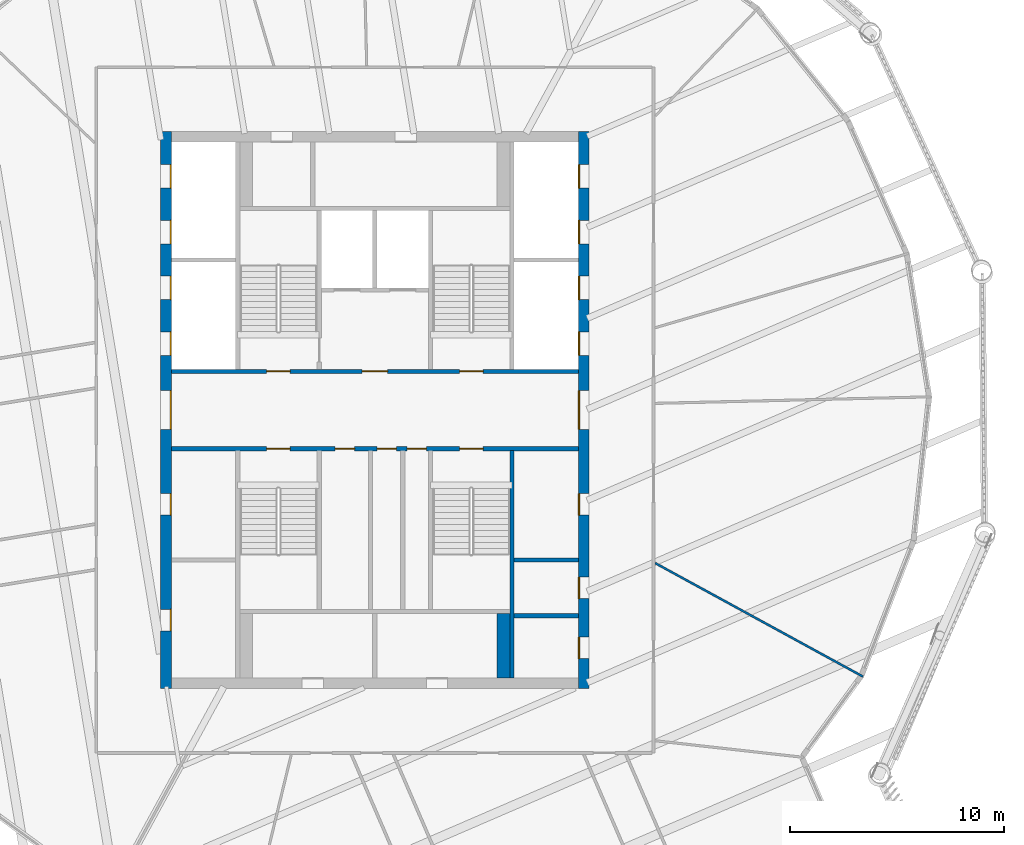
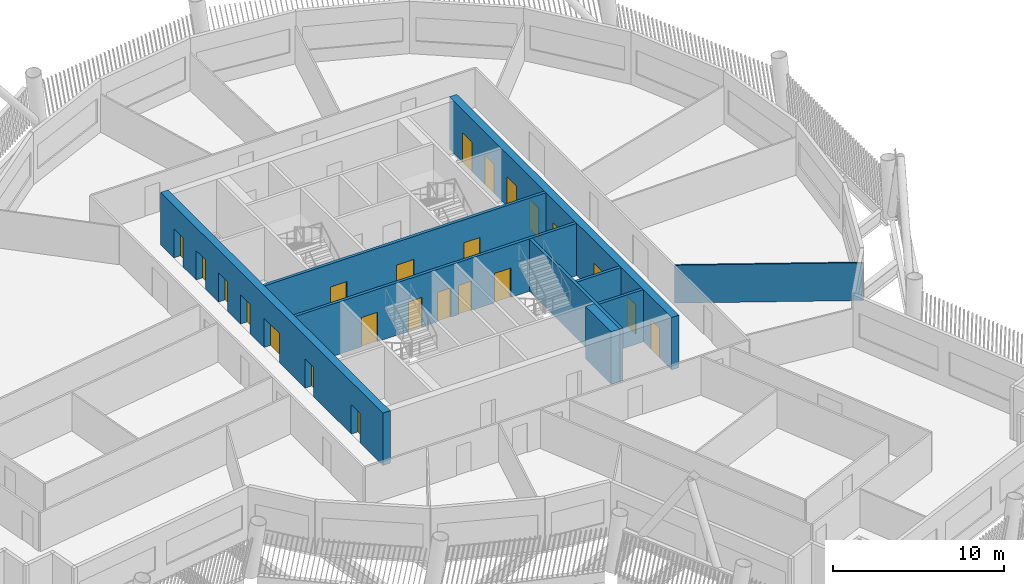
# One storey, part 5 of 23: 23 doors, 9 walls, 23 openings.
"""IFC4 building model written with IfcOpenShell, lengths in metres."""

from ifc_helpers import new_model, si_unit, direction, frame, frame_2d, origin, place, context, subcontext, project, spatial, rectangle, extrude, material, layer, layer_set, type_object, element, fill, save


model = new_model("IFC4")

# Units and contexts
model_context = context("Model", 3, precision=1e-05, world=origin(), true_north=direction((0.0, 1.0)))
body_context = subcontext(model_context, "Body", "Model", "MODEL_VIEW")
ifc_project = project(units=[si_unit("LENGTHUNIT", "METRE"), si_unit("AREAUNIT", "SQUARE_METRE"), si_unit("VOLUMEUNIT", "CUBIC_METRE"), si_unit("PLANEANGLEUNIT", "RADIAN"), si_unit("MASSUNIT", "GRAM", prefix="KILO")], contexts=[model_context])

# Site, building, storey
site_placement = place(None, origin())
site = spatial("IfcSite", under=ifc_project, at=site_placement, CompositionType="ELEMENT")
building_placement = place(site_placement, origin())
building = spatial("IfcBuilding", under=site, at=building_placement, Name="Tarsis Ring Headquarters", CompositionType="ELEMENT")
storey_placement = place(building_placement, frame((0.0, 0.0, 323.60009765625)))
storey = spatial("IfcBuildingStorey", under=building, at=storey_placement, Name="L76", CompositionType="ELEMENT", Elevation=323.60009765625)

# Walls
ifc_material_1 = material(Name="Blockwork", Category="masonry")
ifc_layer_1 = layer(ifc_material_1, 0.199951171875)
ifc_layer_set_1 = layer_set([ifc_layer_1], Name="Core blockwork wall 200")
wall_type_1 = type_object("IfcWallType", Name="Core blockwork wall 200", PredefinedType="PARTITIONING", material=ifc_layer_set_1)
for number, where, z_axis, x_axis, name in (
    (1, (6.5, -9.60009765625, 0.0), (0.0, 0.0, 1.0), (1.0, 0.0, 0.0), "Core partition ED1"),
    (2, (6.5, -7.0, 0.0), (0.0, 0.0, 1.0), (1.0, 0.0, 0.0), "Core partition ED2"),
):
    element("IfcWall", number, at=place(storey_placement, frame(where, z_axis=z_axis, x_axis=x_axis)), inside=storey, type_object=wall_type_1, Name=name, PredefinedType="PARTITIONING", context=body_context, shape_type="SweptSolid", body=[
        extrude(rectangle(XDim=3.0, YDim=0.199951171875, at=frame_2d((1.5, 0.0))), origin(), (0.0, 0.0, 1.0), 3.739990234375),
    ])

# Wall, openings, doors
ifc_material_2 = material(Name="Concrete C50/60", Category="concrete")
ifc_layer_2 = layer(ifc_material_2, 0.5)
ifc_layer_set_2 = layer_set([ifc_layer_2], Name="Core wall 500 C50/60")
wall_type_2 = type_object("IfcWallType", Name="Core wall 500 C50/60", PredefinedType="SHEAR", material=ifc_layer_set_2)
wall_1_placement = place(storey_placement, frame((-9.75, -13.0, 0.0), z_axis=(0.0, 0.0, 1.0), x_axis=(0.0, 1.0, 0.0)))
wall_1 = element("IfcWall", 3, at=wall_1_placement, inside=storey, type_object=wall_type_2, Name="Core wall OW", PredefinedType="SHEAR", context=body_context, shape_type="SweptSolid", body=[
    extrude(rectangle(XDim=26.0, YDim=0.5, at=frame_2d((13.0, 0.0))), origin(), (0.0, 0.0, 1.0), 3.739990234375),
])
opening_1_placement = place(wall_1_placement, frame((2.699951171875, 0.0, 0.0)))
opening_1 = element("IfcOpeningElement", 4, at=opening_1_placement, cuts=wall_1, Name="Opening L76-C01", PredefinedType="OPENING", context=body_context, shape_type="SweptSolid", body=[
    extrude(rectangle(XDim=1.0, YDim=2.10009765625, at=frame_2d((0.5, 1.050048828125))), frame((0.0, 0.260009765625, 0.0), z_axis=(0.0, -1.0, 0.0), x_axis=(1.0, 0.0, 0.0)), (0.0, 0.0, 1.0), 0.52001953125),
])
opening_2_placement = place(wall_1_placement, frame((8.10009765625, 0.0, 0.0)))
opening_2 = element("IfcOpeningElement", 5, at=opening_2_placement, cuts=wall_1, Name="Opening L76-C02", PredefinedType="OPENING", context=body_context, shape_type="SweptSolid", body=[
    extrude(rectangle(XDim=1.0, YDim=2.10009765625, at=frame_2d((0.5, 1.050048828125))), frame((0.0, 0.260009765625, 0.0), z_axis=(0.0, -1.0, 0.0), x_axis=(1.0, 0.0, 0.0)), (0.0, 0.0, 1.0), 0.52001953125),
])
opening_3_placement = place(wall_1_placement, frame((12.10009765625, 0.0, 0.0)))
opening_3 = element("IfcOpeningElement", 6, at=opening_3_placement, cuts=wall_1, Name="Opening L76-C03", PredefinedType="OPENING", context=body_context, shape_type="SweptSolid", body=[
    extrude(rectangle(XDim=1.800048828125, YDim=2.10009765625, at=frame_2d((0.89990234375, 1.050048828125))), frame((0.0, 0.260009765625, 0.0), z_axis=(0.0, -1.0, 0.0), x_axis=(1.0, 0.0, 0.0)), (0.0, 0.0, 1.0), 0.52001953125),
])
opening_4_placement = place(wall_1_placement, frame((15.550048828125, 0.0, 0.0)))
opening_4 = element("IfcOpeningElement", 7, at=opening_4_placement, cuts=wall_1, Name="Opening LD-HR1", PredefinedType="OPENING", context=body_context, shape_type="SweptSolid", body=[
    extrude(rectangle(XDim=1.10009765625, YDim=2.10009765625, at=frame_2d((0.550048828125, 1.050048828125))), frame((0.0, 0.260009765625, 0.0), z_axis=(0.0, -1.0, 0.0), x_axis=(1.0, 0.0, 0.0)), (0.0, 0.0, 1.0), 0.52001953125),
])
opening_5_placement = place(wall_1_placement, frame((18.14990234375, 0.0, 0.0)))
opening_5 = element("IfcOpeningElement", 8, at=opening_5_placement, cuts=wall_1, Name="Opening LD-HR2", PredefinedType="OPENING", context=body_context, shape_type="SweptSolid", body=[
    extrude(rectangle(XDim=1.10009765625, YDim=2.10009765625, at=frame_2d((0.550048828125, 1.050048828125))), frame((0.0, 0.260009765625, 0.0), z_axis=(0.0, -1.0, 0.0), x_axis=(1.0, 0.0, 0.0)), (0.0, 0.0, 1.0), 0.52001953125),
])
opening_6_placement = place(wall_1_placement, frame((20.75, 0.0, 0.0)))
opening_6 = element("IfcOpeningElement", 9, at=opening_6_placement, cuts=wall_1, Name="Opening LD-HR3", PredefinedType="OPENING", context=body_context, shape_type="SweptSolid", body=[
    extrude(rectangle(XDim=1.10009765625, YDim=2.10009765625, at=frame_2d((0.550048828125, 1.050048828125))), frame((0.0, 0.260009765625, 0.0), z_axis=(0.0, -1.0, 0.0), x_axis=(1.0, 0.0, 0.0)), (0.0, 0.0, 1.0), 0.52001953125),
])
opening_7_placement = place(wall_1_placement, frame((23.35009765625, 0.0, 0.0)))
opening_7 = element("IfcOpeningElement", 10, at=opening_7_placement, cuts=wall_1, Name="Opening LD-HR4", PredefinedType="OPENING", context=body_context, shape_type="SweptSolid", body=[
    extrude(rectangle(XDim=1.10009765625, YDim=2.10009765625, at=frame_2d((0.550048828125, 1.050048828125))), frame((0.0, 0.260009765625, 0.0), z_axis=(0.0, -1.0, 0.0), x_axis=(1.0, 0.0, 0.0)), (0.0, 0.0, 1.0), 0.52001953125),
])
ifc_material_3 = material(Name="Steel S355", Category="steel")
door_type_1 = type_object("IfcDoorType", Name="Core entry door 1800x2100", OperationType="DOUBLE_DOOR_SINGLE_SWING", PredefinedType="DOOR", material=ifc_material_3)
door_1_placement = place(opening_3_placement, origin())
door_1 = element("IfcDoor", 11, at=door_1_placement, inside=storey, type_object=door_type_1, Name="Core entry door L76", OperationType="DOUBLE_DOOR_SINGLE_SWING", OverallHeight=2.10009765625, OverallWidth=1.800048828125, PredefinedType="DOOR", context=body_context, shape_type="SweptSolid", body=[
    extrude(rectangle(XDim=1.800048828125, YDim=2.10009765625, at=frame_2d((0.89990234375, 1.050048828125))), frame((0.0, -0.2001953125, 0.0), z_axis=(0.0, -1.0, 0.0), x_axis=(1.0, 0.0, 0.0)), (0.0, 0.0, 1.0), 0.050048828125),
])
fill(opening_3, door_1)
door_type_2 = type_object("IfcDoorType", Name="Core room door 1000x2100", OperationType="SINGLE_SWING_LEFT", PredefinedType="DOOR", material=ifc_material_3)
door_2_placement = place(opening_1_placement, origin())
door_2 = element("IfcDoor", 12, at=door_2_placement, inside=storey, type_object=door_type_2, Name="Core room door L76", OperationType="SINGLE_SWING_LEFT", OverallHeight=2.10009765625, OverallWidth=1.0, PredefinedType="DOOR", context=body_context, shape_type="SweptSolid", body=[
    extrude(rectangle(XDim=1.0, YDim=2.10009765625, at=frame_2d((0.5, 1.050048828125))), frame((0.0, -0.2001953125, 0.0), z_axis=(0.0, -1.0, 0.0), x_axis=(1.0, 0.0, 0.0)), (0.0, 0.0, 1.0), 0.050048828125),
])
fill(opening_1, door_2)
door_3_placement = place(opening_2_placement, origin())
door_3 = element("IfcDoor", 13, at=door_3_placement, inside=storey, type_object=door_type_2, Name="Core room door L76", OperationType="SINGLE_SWING_LEFT", OverallHeight=2.10009765625, OverallWidth=1.0, PredefinedType="DOOR", context=body_context, shape_type="SweptSolid", body=[
    extrude(rectangle(XDim=1.0, YDim=2.10009765625, at=frame_2d((0.5, 1.050048828125))), frame((0.0, -0.2001953125, 0.0), z_axis=(0.0, -1.0, 0.0), x_axis=(1.0, 0.0, 0.0)), (0.0, 0.0, 1.0), 0.050048828125),
])
fill(opening_2, door_3)
door_type_3 = type_object("IfcDoorType", Name="Landing door 1100x2100", OperationType="SLIDING_TO_LEFT", PredefinedType="DOOR", material=ifc_material_3)
door_4_placement = place(opening_4_placement, origin())
door_4 = element("IfcDoor", 14, at=door_4_placement, inside=storey, type_object=door_type_3, Name="Landing door HR1 L76", OperationType="SLIDING_TO_LEFT", OverallHeight=2.10009765625, OverallWidth=1.10009765625, PredefinedType="DOOR", context=body_context, shape_type="SweptSolid", body=[
    extrude(rectangle(XDim=1.10009765625, YDim=2.10009765625, at=frame_2d((0.550048828125, 1.050048828125))), frame((0.0, -0.2001953125, 0.0), z_axis=(0.0, -1.0, 0.0), x_axis=(1.0, 0.0, 0.0)), (0.0, 0.0, 1.0), 0.050048828125),
])
fill(opening_4, door_4)
door_5_placement = place(opening_5_placement, origin())
door_5 = element("IfcDoor", 15, at=door_5_placement, inside=storey, type_object=door_type_3, Name="Landing door HR2 L76", OperationType="SLIDING_TO_LEFT", OverallHeight=2.10009765625, OverallWidth=1.10009765625, PredefinedType="DOOR", context=body_context, shape_type="SweptSolid", body=[
    extrude(rectangle(XDim=1.10009765625, YDim=2.10009765625, at=frame_2d((0.550048828125, 1.050048828125))), frame((0.0, -0.2001953125, 0.0), z_axis=(0.0, -1.0, 0.0), x_axis=(1.0, 0.0, 0.0)), (0.0, 0.0, 1.0), 0.050048828125),
])
fill(opening_5, door_5)
door_6_placement = place(opening_6_placement, origin())
door_6 = element("IfcDoor", 16, at=door_6_placement, inside=storey, type_object=door_type_3, Name="Landing door HR3 L76", OperationType="SLIDING_TO_LEFT", OverallHeight=2.10009765625, OverallWidth=1.10009765625, PredefinedType="DOOR", context=body_context, shape_type="SweptSolid", body=[
    extrude(rectangle(XDim=1.10009765625, YDim=2.10009765625, at=frame_2d((0.550048828125, 1.050048828125))), frame((0.0, -0.2001953125, 0.0), z_axis=(0.0, -1.0, 0.0), x_axis=(1.0, 0.0, 0.0)), (0.0, 0.0, 1.0), 0.050048828125),
])
fill(opening_6, door_6)
door_7_placement = place(opening_7_placement, origin())
door_7 = element("IfcDoor", 17, at=door_7_placement, inside=storey, type_object=door_type_3, Name="Landing door HR4 L76", OperationType="SLIDING_TO_LEFT", OverallHeight=2.10009765625, OverallWidth=1.10009765625, PredefinedType="DOOR", context=body_context, shape_type="SweptSolid", body=[
    extrude(rectangle(XDim=1.10009765625, YDim=2.10009765625, at=frame_2d((0.550048828125, 1.050048828125))), frame((0.0, -0.2001953125, 0.0), z_axis=(0.0, -1.0, 0.0), x_axis=(1.0, 0.0, 0.0)), (0.0, 0.0, 1.0), 0.050048828125),
])
fill(opening_7, door_7)

wall_2_placement = place(storey_placement, frame((9.75, -13.0, 0.0), z_axis=(0.0, 0.0, 1.0), x_axis=(0.0, 1.0, 0.0)))
wall_2 = element("IfcWall", 18, at=wall_2_placement, inside=storey, type_object=wall_type_2, Name="Core wall OE", PredefinedType="SHEAR", context=body_context, shape_type="SweptSolid", body=[
    extrude(rectangle(XDim=26.0, YDim=0.5, at=frame_2d((13.0, 0.0))), origin(), (0.0, 0.0, 1.0), 3.739990234375),
])
opening_8_placement = place(wall_2_placement, frame((1.39990234375, 0.0, 0.0)))
opening_8 = element("IfcOpeningElement", 19, at=opening_8_placement, cuts=wall_2, Name="Opening L76-C08", PredefinedType="OPENING", context=body_context, shape_type="SweptSolid", body=[
    extrude(rectangle(XDim=1.0, YDim=2.10009765625, at=frame_2d((0.5, 1.050048828125))), frame((0.0, 0.260009765625, 0.0), z_axis=(0.0, -1.0, 0.0), x_axis=(1.0, 0.0, 0.0)), (0.0, 0.0, 1.0), 0.52001953125),
])
opening_9_placement = place(wall_2_placement, frame((4.199951171875, 0.0, 0.0)))
opening_9 = element("IfcOpeningElement", 20, at=opening_9_placement, cuts=wall_2, Name="Opening L76-C09", PredefinedType="OPENING", context=body_context, shape_type="SweptSolid", body=[
    extrude(rectangle(XDim=1.0, YDim=2.10009765625, at=frame_2d((0.5, 1.050048828125))), frame((0.0, 0.260009765625, 0.0), z_axis=(0.0, -1.0, 0.0), x_axis=(1.0, 0.0, 0.0)), (0.0, 0.0, 1.0), 0.52001953125),
])
opening_10_placement = place(wall_2_placement, frame((8.10009765625, 0.0, 0.0)))
opening_10 = element("IfcOpeningElement", 21, at=opening_10_placement, cuts=wall_2, Name="Opening L76-C10", PredefinedType="OPENING", context=body_context, shape_type="SweptSolid", body=[
    extrude(rectangle(XDim=1.0, YDim=2.10009765625, at=frame_2d((0.5, 1.050048828125))), frame((0.0, 0.260009765625, 0.0), z_axis=(0.0, -1.0, 0.0), x_axis=(1.0, 0.0, 0.0)), (0.0, 0.0, 1.0), 0.52001953125),
])
opening_11_placement = place(wall_2_placement, frame((12.10009765625, 0.0, 0.0)))
opening_11 = element("IfcOpeningElement", 22, at=opening_11_placement, cuts=wall_2, Name="Opening L76-C11", PredefinedType="OPENING", context=body_context, shape_type="SweptSolid", body=[
    extrude(rectangle(XDim=1.800048828125, YDim=2.10009765625, at=frame_2d((0.89990234375, 1.050048828125))), frame((0.0, 0.260009765625, 0.0), z_axis=(0.0, -1.0, 0.0), x_axis=(1.0, 0.0, 0.0)), (0.0, 0.0, 1.0), 0.52001953125),
])
opening_12_placement = place(wall_2_placement, frame((15.550048828125, 0.0, 0.0)))
opening_12 = element("IfcOpeningElement", 23, at=opening_12_placement, cuts=wall_2, Name="Opening LD-HR5", PredefinedType="OPENING", context=body_context, shape_type="SweptSolid", body=[
    extrude(rectangle(XDim=1.10009765625, YDim=2.10009765625, at=frame_2d((0.550048828125, 1.050048828125))), frame((0.0, 0.260009765625, 0.0), z_axis=(0.0, -1.0, 0.0), x_axis=(1.0, 0.0, 0.0)), (0.0, 0.0, 1.0), 0.52001953125),
])
opening_13_placement = place(wall_2_placement, frame((18.14990234375, 0.0, 0.0)))
opening_13 = element("IfcOpeningElement", 24, at=opening_13_placement, cuts=wall_2, Name="Opening LD-HR6", PredefinedType="OPENING", context=body_context, shape_type="SweptSolid", body=[
    extrude(rectangle(XDim=1.10009765625, YDim=2.10009765625, at=frame_2d((0.550048828125, 1.050048828125))), frame((0.0, 0.260009765625, 0.0), z_axis=(0.0, -1.0, 0.0), x_axis=(1.0, 0.0, 0.0)), (0.0, 0.0, 1.0), 0.52001953125),
])
opening_14_placement = place(wall_2_placement, frame((20.75, 0.0, 0.0)))
opening_14 = element("IfcOpeningElement", 25, at=opening_14_placement, cuts=wall_2, Name="Opening LD-HR7", PredefinedType="OPENING", context=body_context, shape_type="SweptSolid", body=[
    extrude(rectangle(XDim=1.10009765625, YDim=2.10009765625, at=frame_2d((0.550048828125, 1.050048828125))), frame((0.0, 0.260009765625, 0.0), z_axis=(0.0, -1.0, 0.0), x_axis=(1.0, 0.0, 0.0)), (0.0, 0.0, 1.0), 0.52001953125),
])
opening_15_placement = place(wall_2_placement, frame((23.35009765625, 0.0, 0.0)))
opening_15 = element("IfcOpeningElement", 26, at=opening_15_placement, cuts=wall_2, Name="Opening LD-HR8", PredefinedType="OPENING", context=body_context, shape_type="SweptSolid", body=[
    extrude(rectangle(XDim=1.10009765625, YDim=2.10009765625, at=frame_2d((0.550048828125, 1.050048828125))), frame((0.0, 0.260009765625, 0.0), z_axis=(0.0, -1.0, 0.0), x_axis=(1.0, 0.0, 0.0)), (0.0, 0.0, 1.0), 0.52001953125),
])
door_8_placement = place(opening_11_placement, origin())
door_8 = element("IfcDoor", 27, at=door_8_placement, inside=storey, type_object=door_type_1, Name="Core entry door L76", OperationType="DOUBLE_DOOR_SINGLE_SWING", OverallHeight=2.10009765625, OverallWidth=1.800048828125, PredefinedType="DOOR", context=body_context, shape_type="SweptSolid", body=[
    extrude(rectangle(XDim=1.800048828125, YDim=2.10009765625, at=frame_2d((0.89990234375, 1.050048828125))), frame((0.0, 0.25, 0.0), z_axis=(0.0, -1.0, 0.0), x_axis=(1.0, 0.0, 0.0)), (0.0, 0.0, 1.0), 0.050048828125),
])
fill(opening_11, door_8)
door_9_placement = place(opening_8_placement, origin())
door_9 = element("IfcDoor", 28, at=door_9_placement, inside=storey, type_object=door_type_2, Name="Core room door L76", OperationType="SINGLE_SWING_LEFT", OverallHeight=2.10009765625, OverallWidth=1.0, PredefinedType="DOOR", context=body_context, shape_type="SweptSolid", body=[
    extrude(rectangle(XDim=1.0, YDim=2.10009765625, at=frame_2d((0.5, 1.050048828125))), frame((0.0, 0.25, 0.0), z_axis=(0.0, -1.0, 0.0), x_axis=(1.0, 0.0, 0.0)), (0.0, 0.0, 1.0), 0.050048828125),
])
fill(opening_8, door_9)
door_10_placement = place(opening_9_placement, origin())
door_10 = element("IfcDoor", 29, at=door_10_placement, inside=storey, type_object=door_type_2, Name="Core room door L76", OperationType="SINGLE_SWING_LEFT", OverallHeight=2.10009765625, OverallWidth=1.0, PredefinedType="DOOR", context=body_context, shape_type="SweptSolid", body=[
    extrude(rectangle(XDim=1.0, YDim=2.10009765625, at=frame_2d((0.5, 1.050048828125))), frame((0.0, 0.25, 0.0), z_axis=(0.0, -1.0, 0.0), x_axis=(1.0, 0.0, 0.0)), (0.0, 0.0, 1.0), 0.050048828125),
])
fill(opening_9, door_10)
door_11_placement = place(opening_10_placement, origin())
door_11 = element("IfcDoor", 30, at=door_11_placement, inside=storey, type_object=door_type_2, Name="Core room door L76", OperationType="SINGLE_SWING_LEFT", OverallHeight=2.10009765625, OverallWidth=1.0, PredefinedType="DOOR", context=body_context, shape_type="SweptSolid", body=[
    extrude(rectangle(XDim=1.0, YDim=2.10009765625, at=frame_2d((0.5, 1.050048828125))), frame((0.0, 0.25, 0.0), z_axis=(0.0, -1.0, 0.0), x_axis=(1.0, 0.0, 0.0)), (0.0, 0.0, 1.0), 0.050048828125),
])
fill(opening_10, door_11)
door_12_placement = place(opening_12_placement, origin())
door_12 = element("IfcDoor", 31, at=door_12_placement, inside=storey, type_object=door_type_3, Name="Landing door HR5 L76", OperationType="SLIDING_TO_LEFT", OverallHeight=2.10009765625, OverallWidth=1.10009765625, PredefinedType="DOOR", context=body_context, shape_type="SweptSolid", body=[
    extrude(rectangle(XDim=1.10009765625, YDim=2.10009765625, at=frame_2d((0.550048828125, 1.050048828125))), frame((0.0, 0.25, 0.0), z_axis=(0.0, -1.0, 0.0), x_axis=(1.0, 0.0, 0.0)), (0.0, 0.0, 1.0), 0.050048828125),
])
fill(opening_12, door_12)
door_13_placement = place(opening_13_placement, origin())
door_13 = element("IfcDoor", 32, at=door_13_placement, inside=storey, type_object=door_type_3, Name="Landing door HR6 L76", OperationType="SLIDING_TO_LEFT", OverallHeight=2.10009765625, OverallWidth=1.10009765625, PredefinedType="DOOR", context=body_context, shape_type="SweptSolid", body=[
    extrude(rectangle(XDim=1.10009765625, YDim=2.10009765625, at=frame_2d((0.550048828125, 1.050048828125))), frame((0.0, 0.25, 0.0), z_axis=(0.0, -1.0, 0.0), x_axis=(1.0, 0.0, 0.0)), (0.0, 0.0, 1.0), 0.050048828125),
])
fill(opening_13, door_13)
door_14_placement = place(opening_14_placement, origin())
door_14 = element("IfcDoor", 33, at=door_14_placement, inside=storey, type_object=door_type_3, Name="Landing door HR7 L76", OperationType="SLIDING_TO_LEFT", OverallHeight=2.10009765625, OverallWidth=1.10009765625, PredefinedType="DOOR", context=body_context, shape_type="SweptSolid", body=[
    extrude(rectangle(XDim=1.10009765625, YDim=2.10009765625, at=frame_2d((0.550048828125, 1.050048828125))), frame((0.0, 0.25, 0.0), z_axis=(0.0, -1.0, 0.0), x_axis=(1.0, 0.0, 0.0)), (0.0, 0.0, 1.0), 0.050048828125),
])
fill(opening_14, door_14)
door_15_placement = place(opening_15_placement, origin())
door_15 = element("IfcDoor", 34, at=door_15_placement, inside=storey, type_object=door_type_3, Name="Landing door HR8 L76", OperationType="SLIDING_TO_LEFT", OverallHeight=2.10009765625, OverallWidth=1.10009765625, PredefinedType="DOOR", context=body_context, shape_type="SweptSolid", body=[
    extrude(rectangle(XDim=1.10009765625, YDim=2.10009765625, at=frame_2d((0.550048828125, 1.050048828125))), frame((0.0, 0.25, 0.0), z_axis=(0.0, -1.0, 0.0), x_axis=(1.0, 0.0, 0.0)), (0.0, 0.0, 1.0), 0.050048828125),
])
fill(opening_15, door_15)

# Walls
ifc_material_4 = material(Name="Gypsum board on steel studs", Category="steel")
ifc_layer_3 = layer(ifc_material_4, 0.10009765625)
ifc_layer_set_3 = layer_set([ifc_layer_3], Name="FL partition 100 unrated")
wall_type_3 = type_object("IfcWallType", Name="FL partition 100 unrated", PredefinedType="PARTITIONING", material=ifc_layer_set_3)
wall_3_placement = place(storey_placement, frame((13.0791015625, -7.142578125, 0.0), z_axis=(0.0, 0.0, 1.0), x_axis=(0.877638659202, -0.479322838881, 0.0)))
element("IfcWall", 35, at=wall_3_placement, inside=storey, type_object=wall_type_3, Name="Partition PW3", PredefinedType="PARTITIONING", context=body_context, shape_type="SweptSolid", body=[
    extrude(rectangle(XDim=11.045654296875, YDim=0.10009765625, at=frame_2d((5.52294921875, 0.0))), origin(), (0.0, 0.0, 1.0), 2.699951171875),
])
ifc_material_5 = material(Name="Concrete C32/40", Category="concrete")
ifc_layer_4 = layer(ifc_material_5, 0.60009765625)
ifc_layer_set_4 = layer_set([ifc_layer_4], Name="Shaft end wall 600 C32/40")
wall_type_4 = type_object("IfcWallType", Name="Shaft end wall 600 C32/40", PredefinedType="SOLIDWALL", material=ifc_layer_set_4)
wall_4_placement = place(storey_placement, frame((6.0, -12.5, 0.0), z_axis=(0.0, 0.0, 1.0), x_axis=(0.0, 1.0, 0.0)))
element("IfcWall", 36, at=wall_4_placement, inside=storey, type_object=wall_type_4, Name="Core shaft wall SNE2", PredefinedType="SOLIDWALL", context=body_context, shape_type="SweptSolid", body=[
    extrude(rectangle(XDim=3.0, YDim=0.60009765625, at=frame_2d((1.5, 0.0))), origin(), (0.0, 0.0, 1.0), 3.739990234375),
])

# Wall, openings, doors
ifc_layer_5 = layer(ifc_material_5, 0.199951171875)
ifc_layer_set_5 = layer_set([ifc_layer_5], Name="Shaft wall 200 C32/40")
wall_type_5 = type_object("IfcWallType", Name="Shaft wall 200 C32/40", PredefinedType="SOLIDWALL", material=ifc_layer_set_5)
wall_5_placement = place(storey_placement, frame((-9.5, 1.800048828125, 0.0), z_axis=(0.0, 0.0, 1.0), x_axis=(1.0, 0.0, 0.0)))
wall_5 = element("IfcWall", 37, at=wall_5_placement, inside=storey, type_object=wall_type_5, Name="Core shaft wall CN", PredefinedType="SOLIDWALL", context=body_context, shape_type="SweptSolid", body=[
    extrude(rectangle(XDim=19.0, YDim=0.199951171875, at=frame_2d((9.5, 0.0))), origin(), (0.0, 0.0, 1.0), 3.739990234375),
])
opening_16_placement = place(wall_5_placement, frame((4.449951171875, 0.0, 0.0)))
opening_16 = element("IfcOpeningElement", 38, at=opening_16_placement, cuts=wall_5, Name="Opening L76-C20", PredefinedType="OPENING", context=body_context, shape_type="SweptSolid", body=[
    extrude(rectangle(XDim=1.10009765625, YDim=2.10009765625, at=frame_2d((0.550048828125, 1.050048828125))), frame((0.0, 0.10986328125, 0.0), z_axis=(0.0, -1.0, 0.0), x_axis=(1.0, 0.0, 0.0)), (0.0, 0.0, 1.0), 0.219970703125),
])
opening_17_placement = place(wall_5_placement, frame((8.89990234375, 0.0, 0.0)))
opening_17 = element("IfcOpeningElement", 39, at=opening_17_placement, cuts=wall_5, Name="Opening L76-C21", PredefinedType="OPENING", context=body_context, shape_type="SweptSolid", body=[
    extrude(rectangle(XDim=1.199951171875, YDim=2.10009765625, at=frame_2d((0.60009765625, 1.050048828125))), frame((0.0, 0.10986328125, 0.0), z_axis=(0.0, -1.0, 0.0), x_axis=(1.0, 0.0, 0.0)), (0.0, 0.0, 1.0), 0.219970703125),
])
opening_18_placement = place(wall_5_placement, frame((13.449951171875, 0.0, 0.0)))
opening_18 = element("IfcOpeningElement", 40, at=opening_18_placement, cuts=wall_5, Name="Opening L76-C22", PredefinedType="OPENING", context=body_context, shape_type="SweptSolid", body=[
    extrude(rectangle(XDim=1.10009765625, YDim=2.10009765625, at=frame_2d((0.550048828125, 1.050048828125))), frame((0.0, 0.10986328125, 0.0), z_axis=(0.0, -1.0, 0.0), x_axis=(1.0, 0.0, 0.0)), (0.0, 0.0, 1.0), 0.219970703125),
])
door_type_4 = type_object("IfcDoorType", Name="Firefighting lobby door 1200x2100", OperationType="DOUBLE_DOOR_SINGLE_SWING", PredefinedType="DOOR", material=ifc_material_3)
door_16_placement = place(opening_17_placement, origin())
door_16 = element("IfcDoor", 41, at=door_16_placement, inside=storey, type_object=door_type_4, Name="Firefighting lobby door L76", OperationType="DOUBLE_DOOR_SINGLE_SWING", OverallHeight=2.10009765625, OverallWidth=1.199951171875, PredefinedType="DOOR", context=body_context, shape_type="SweptSolid", body=[
    extrude(rectangle(XDim=1.199951171875, YDim=2.10009765625, at=frame_2d((0.60009765625, 1.050048828125))), frame((0.0, 0.02490234375, 0.0), z_axis=(0.0, -1.0, 0.0), x_axis=(1.0, 0.0, 0.0)), (0.0, 0.0, 1.0), 0.050048828125),
])
fill(opening_17, door_16)
door_type_5 = type_object("IfcDoorType", Name="Stair door 1100x2100", OperationType="SINGLE_SWING_LEFT", PredefinedType="DOOR", material=ifc_material_3)
door_17_placement = place(opening_16_placement, origin())
door_17 = element("IfcDoor", 42, at=door_17_placement, inside=storey, type_object=door_type_5, Name="Stair door L76", OperationType="SINGLE_SWING_LEFT", OverallHeight=2.10009765625, OverallWidth=1.10009765625, PredefinedType="DOOR", context=body_context, shape_type="SweptSolid", body=[
    extrude(rectangle(XDim=1.10009765625, YDim=2.10009765625, at=frame_2d((0.550048828125, 1.050048828125))), frame((0.0, 0.02490234375, 0.0), z_axis=(0.0, -1.0, 0.0), x_axis=(1.0, 0.0, 0.0)), (0.0, 0.0, 1.0), 0.050048828125),
])
fill(opening_16, door_17)
door_18_placement = place(opening_18_placement, origin())
door_18 = element("IfcDoor", 43, at=door_18_placement, inside=storey, type_object=door_type_5, Name="Stair door L76", OperationType="SINGLE_SWING_LEFT", OverallHeight=2.10009765625, OverallWidth=1.10009765625, PredefinedType="DOOR", context=body_context, shape_type="SweptSolid", body=[
    extrude(rectangle(XDim=1.10009765625, YDim=2.10009765625, at=frame_2d((0.550048828125, 1.050048828125))), frame((0.0, 0.02490234375, 0.0), z_axis=(0.0, -1.0, 0.0), x_axis=(1.0, 0.0, 0.0)), (0.0, 0.0, 1.0), 0.050048828125),
])
fill(opening_18, door_18)

wall_6_placement = place(storey_placement, frame((-9.5, -1.800048828125, 0.0), z_axis=(0.0, 0.0, 1.0), x_axis=(1.0, 0.0, 0.0)))
wall_6 = element("IfcWall", 44, at=wall_6_placement, inside=storey, type_object=wall_type_5, Name="Core shaft wall CS", PredefinedType="SOLIDWALL", context=body_context, shape_type="SweptSolid", body=[
    extrude(rectangle(XDim=19.0, YDim=0.199951171875, at=frame_2d((9.5, 0.0))), origin(), (0.0, 0.0, 1.0), 3.739990234375),
])
opening_19_placement = place(wall_6_placement, frame((4.449951171875, 0.0, 0.0)))
opening_19 = element("IfcOpeningElement", 45, at=opening_19_placement, cuts=wall_6, Name="Opening L76-C23", PredefinedType="OPENING", context=body_context, shape_type="SweptSolid", body=[
    extrude(rectangle(XDim=1.10009765625, YDim=2.10009765625, at=frame_2d((0.550048828125, 1.050048828125))), frame((0.0, 0.10986328125, 0.0), z_axis=(0.0, -1.0, 0.0), x_axis=(1.0, 0.0, 0.0)), (0.0, 0.0, 1.0), 0.219970703125),
])
opening_20_placement = place(wall_6_placement, frame((7.64990234375, 0.0, 0.0)))
opening_20 = element("IfcOpeningElement", 46, at=opening_20_placement, cuts=wall_6, Name="Opening L76-C24", PredefinedType="OPENING", context=body_context, shape_type="SweptSolid", body=[
    extrude(rectangle(XDim=0.89990234375, YDim=2.10009765625, at=frame_2d((0.449951171875, 1.050048828125))), frame((0.0, 0.10986328125, 0.0), z_axis=(0.0, -1.0, 0.0), x_axis=(1.0, 0.0, 0.0)), (0.0, 0.0, 1.0), 0.219970703125),
])
opening_21_placement = place(wall_6_placement, frame((9.60009765625, 0.0, 0.0)))
opening_21 = element("IfcOpeningElement", 47, at=opening_21_placement, cuts=wall_6, Name="Opening L76-C25", PredefinedType="OPENING", context=body_context, shape_type="SweptSolid", body=[
    extrude(rectangle(XDim=0.89990234375, YDim=2.10009765625, at=frame_2d((0.449951171875, 1.050048828125))), frame((0.0, 0.10986328125, 0.0), z_axis=(0.0, -1.0, 0.0), x_axis=(1.0, 0.0, 0.0)), (0.0, 0.0, 1.0), 0.219970703125),
])
opening_22_placement = place(wall_6_placement, frame((11.0, 0.0, 0.0)))
opening_22 = element("IfcOpeningElement", 48, at=opening_22_placement, cuts=wall_6, Name="Opening L76-C26", PredefinedType="OPENING", context=body_context, shape_type="SweptSolid", body=[
    extrude(rectangle(XDim=0.89990234375, YDim=2.10009765625, at=frame_2d((0.449951171875, 1.050048828125))), frame((0.0, 0.10986328125, 0.0), z_axis=(0.0, -1.0, 0.0), x_axis=(1.0, 0.0, 0.0)), (0.0, 0.0, 1.0), 0.219970703125),
])
opening_23_placement = place(wall_6_placement, frame((13.449951171875, 0.0, 0.0)))
opening_23 = element("IfcOpeningElement", 49, at=opening_23_placement, cuts=wall_6, Name="Opening L76-C27", PredefinedType="OPENING", context=body_context, shape_type="SweptSolid", body=[
    extrude(rectangle(XDim=1.10009765625, YDim=2.10009765625, at=frame_2d((0.550048828125, 1.050048828125))), frame((0.0, 0.10986328125, 0.0), z_axis=(0.0, -1.0, 0.0), x_axis=(1.0, 0.0, 0.0)), (0.0, 0.0, 1.0), 0.219970703125),
])
door_19_placement = place(opening_19_placement, origin())
door_19 = element("IfcDoor", 50, at=door_19_placement, inside=storey, type_object=door_type_5, Name="Stair door L76", OperationType="SINGLE_SWING_LEFT", OverallHeight=2.10009765625, OverallWidth=1.10009765625, PredefinedType="DOOR", context=body_context, shape_type="SweptSolid", body=[
    extrude(rectangle(XDim=1.10009765625, YDim=2.10009765625, at=frame_2d((0.550048828125, 1.050048828125))), frame((0.0, 0.02490234375, 0.0), z_axis=(0.0, -1.0, 0.0), x_axis=(1.0, 0.0, 0.0)), (0.0, 0.0, 1.0), 0.050048828125),
])
fill(opening_19, door_19)
door_20_placement = place(opening_23_placement, origin())
door_20 = element("IfcDoor", 51, at=door_20_placement, inside=storey, type_object=door_type_5, Name="Stair door L76", OperationType="SINGLE_SWING_LEFT", OverallHeight=2.10009765625, OverallWidth=1.10009765625, PredefinedType="DOOR", context=body_context, shape_type="SweptSolid", body=[
    extrude(rectangle(XDim=1.10009765625, YDim=2.10009765625, at=frame_2d((0.550048828125, 1.050048828125))), frame((0.0, 0.02490234375, 0.0), z_axis=(0.0, -1.0, 0.0), x_axis=(1.0, 0.0, 0.0)), (0.0, 0.0, 1.0), 0.050048828125),
])
fill(opening_23, door_20)
door_type_6 = type_object("IfcDoorType", Name="WC door 900x2100", OperationType="SINGLE_SWING_LEFT", PredefinedType="DOOR", material=ifc_material_3)
door_21_placement = place(opening_20_placement, origin())
door_21 = element("IfcDoor", 52, at=door_21_placement, inside=storey, type_object=door_type_6, Name="WC door L76", OperationType="SINGLE_SWING_LEFT", OverallHeight=2.10009765625, OverallWidth=0.89990234375, PredefinedType="DOOR", context=body_context, shape_type="SweptSolid", body=[
    extrude(rectangle(XDim=0.89990234375, YDim=2.10009765625, at=frame_2d((0.449951171875, 1.050048828125))), frame((0.0, 0.02490234375, 0.0), z_axis=(0.0, -1.0, 0.0), x_axis=(1.0, 0.0, 0.0)), (0.0, 0.0, 1.0), 0.050048828125),
])
fill(opening_20, door_21)
door_22_placement = place(opening_21_placement, origin())
door_22 = element("IfcDoor", 53, at=door_22_placement, inside=storey, type_object=door_type_6, Name="WC door L76", OperationType="SINGLE_SWING_LEFT", OverallHeight=2.10009765625, OverallWidth=0.89990234375, PredefinedType="DOOR", context=body_context, shape_type="SweptSolid", body=[
    extrude(rectangle(XDim=0.89990234375, YDim=2.10009765625, at=frame_2d((0.449951171875, 1.050048828125))), frame((0.0, 0.02490234375, 0.0), z_axis=(0.0, -1.0, 0.0), x_axis=(1.0, 0.0, 0.0)), (0.0, 0.0, 1.0), 0.050048828125),
])
fill(opening_21, door_22)
door_23_placement = place(opening_22_placement, origin())
door_23 = element("IfcDoor", 54, at=door_23_placement, inside=storey, type_object=door_type_6, Name="WC door L76", OperationType="SINGLE_SWING_LEFT", OverallHeight=2.10009765625, OverallWidth=0.89990234375, PredefinedType="DOOR", context=body_context, shape_type="SweptSolid", body=[
    extrude(rectangle(XDim=0.89990234375, YDim=2.10009765625, at=frame_2d((0.449951171875, 1.050048828125))), frame((0.0, 0.02490234375, 0.0), z_axis=(0.0, -1.0, 0.0), x_axis=(1.0, 0.0, 0.0)), (0.0, 0.0, 1.0), 0.050048828125),
])
fill(opening_22, door_23)

# Wall
wall_7_placement = place(storey_placement, frame((6.39990234375, -12.5, 0.0), z_axis=(0.0, 0.0, 1.0), x_axis=(0.0, 1.0, 0.0)))
element("IfcWall", 55, at=wall_7_placement, inside=storey, type_object=wall_type_5, Name="Core shaft wall EB1", PredefinedType="SOLIDWALL", context=body_context, shape_type="SweptSolid", body=[
    extrude(rectangle(XDim=10.60009765625, YDim=0.199951171875, at=frame_2d((5.300048828125, 0.0))), origin(), (0.0, 0.0, 1.0), 3.739990234375),
])

save(model, "model.ifc")
